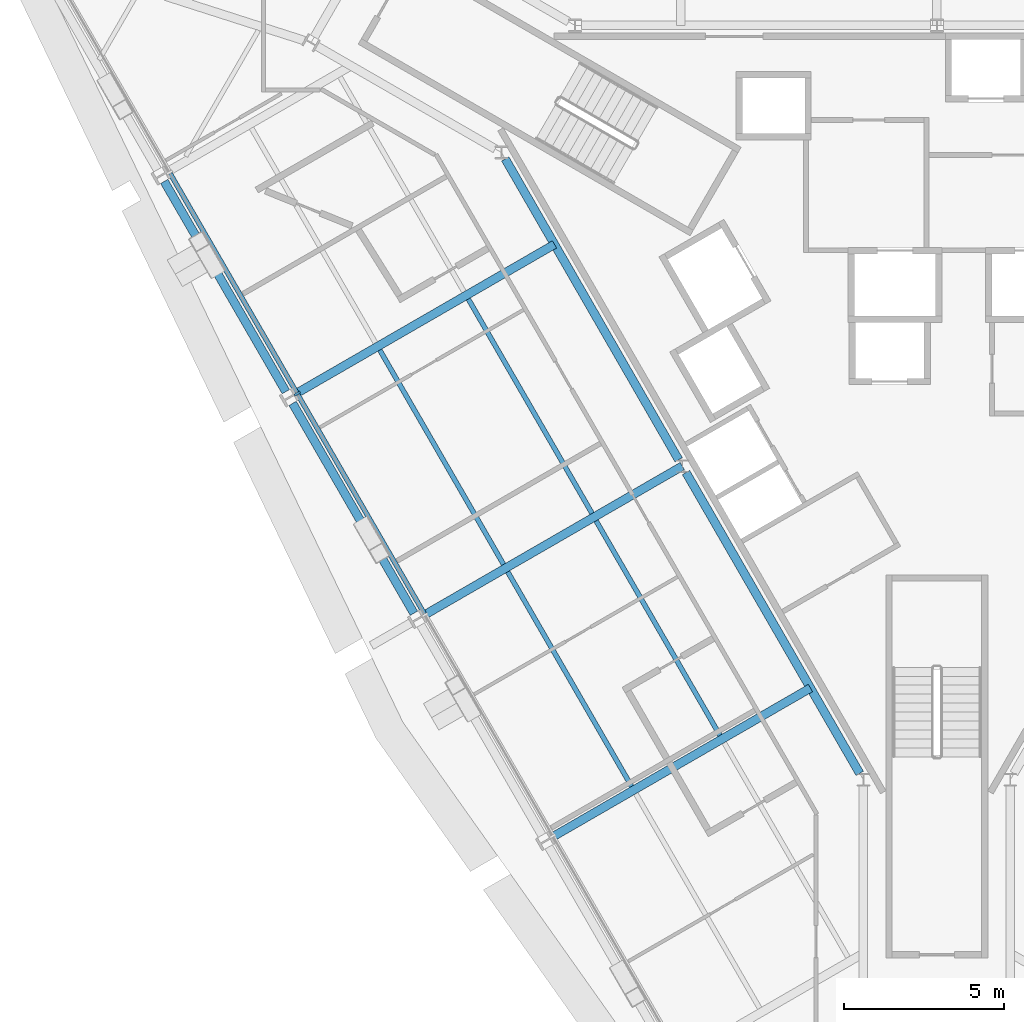
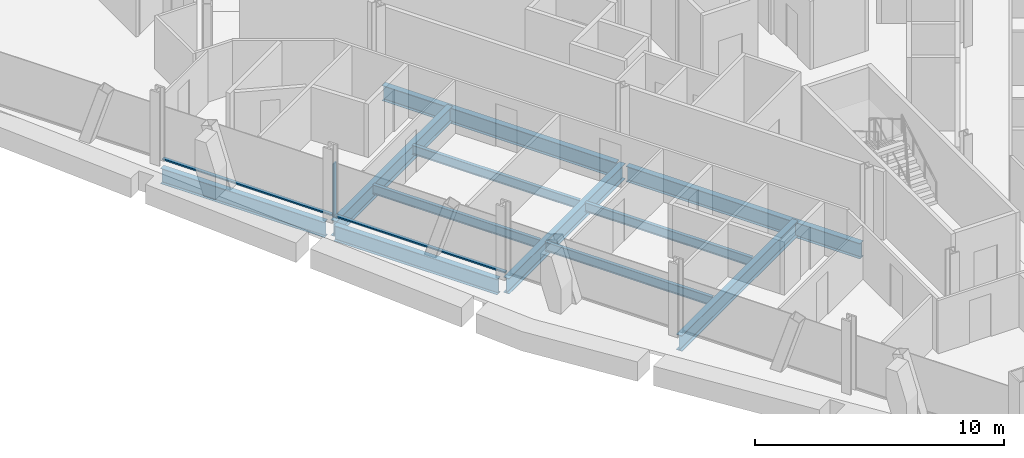
# One storey, part 4 of 16: 11 beams, 3 members, 1 element without a shape of its own.
"""IFC4 building model written with IfcOpenShell, lengths in metres."""

from ifc_helpers import new_model, si_unit, direction, frame, origin, origin_2d, place, context, subcontext, project, spatial, rectangle, i_section, extrude, material, material_profile, profile_set, type_object, element, aggregate, save


model = new_model("IFC4")

# Units and contexts
model_context = context("Model", 3, precision=1e-05, world=origin(), true_north=direction((0.0, 1.0)))
body_context = subcontext(model_context, "Body", "Model", "MODEL_VIEW")
ifc_project = project(units=[si_unit("LENGTHUNIT", "METRE"), si_unit("AREAUNIT", "SQUARE_METRE"), si_unit("VOLUMEUNIT", "CUBIC_METRE"), si_unit("PLANEANGLEUNIT", "RADIAN"), si_unit("MASSUNIT", "GRAM", prefix="KILO")], contexts=[model_context])

# Site, building, storey
site_placement = place(None, origin())
site = spatial("IfcSite", under=ifc_project, at=site_placement, CompositionType="ELEMENT")
building_placement = place(site_placement, origin())
building = spatial("IfcBuilding", under=site, at=building_placement, Name="Verrane Prism Tower", CompositionType="ELEMENT")
storey_placement = place(building_placement, frame((0.0, 0.0, 107.199951171875)))
storey = spatial("IfcBuildingStorey", under=building, at=storey_placement, Name="L25", CompositionType="ELEMENT", Elevation=107.199951171875)

# Beams
ifc_material_1 = material(Name="Steel A992", Category="steel")
ifc_material_profile_1 = material_profile(ifc_material_1, i_section(OverallWidth=0.2666015625, OverallDepth=0.7568359375, WebThickness=0.013916015625, FlangeThickness=0.019287109375, FilletRadius=0.0166015625, at=origin_2d()), Name="W30x108")
ifc_profile_set_1 = profile_set([ifc_material_profile_1], Name="Steel A992")
beam_type_1 = type_object("IfcBeamType", Name="Core ring girder W30x108", PredefinedType="BEAM", material=ifc_profile_set_1)
beam_1_placement = place(storey_placement, frame((-13.51513671875, 5.0205078125, -0.62841796875), z_axis=(0.4993706109, -0.866388476937, 0.0), x_axis=(0.866388476937, 0.4993706109, 0.0)))
element("IfcBeam", 1, at=beam_1_placement, inside=storey, type_object=beam_type_1, Name="Core ring girder L25", PredefinedType="BEAM", context=body_context, shape_type="SweptSolid", body=[
    extrude(i_section(OverallWidth=0.2666015625, OverallDepth=0.7568359375, WebThickness=0.013916015625, FlangeThickness=0.019287109375, FilletRadius=0.0166015625, at=origin_2d()), origin(), (0.0, 0.0, 1.0), 10.8740234375),
])
beam_2_placement = place(storey_placement, frame((-7.85498046875, -4.79931640625, -0.62841796875), z_axis=(0.500034555306, -0.86600545235, 0.0), x_axis=(0.86600545235, 0.500034555306, 0.0)))
element("IfcBeam", 2, at=beam_2_placement, inside=storey, type_object=beam_type_1, Name="Core ring girder L25", PredefinedType="BEAM", context=body_context, shape_type="SweptSolid", body=[
    extrude(i_section(OverallWidth=0.2666015625, OverallDepth=0.7568359375, WebThickness=0.013916015625, FlangeThickness=0.019287109375, FilletRadius=0.0166015625, at=origin_2d()), origin(), (0.0, 0.0, 1.0), 10.879150390625),
])
ifc_material_2 = material(Name="Steel A992", Category="steel")
ifc_material_profile_2 = material_profile(ifc_material_2, i_section(OverallWidth=0.15234375, OverallDepth=0.449462890625, WebThickness=0.007568359375, FlangeThickness=0.0107421875, FilletRadius=0.01025390625, at=origin_2d()), Name="W18x35")
ifc_profile_set_2 = profile_set([ifc_material_profile_2], Name="Steel A992")
beam_type_2 = type_object("IfcBeamType", Name="Floor beam W18x35", PredefinedType="BEAM", material=ifc_profile_set_2)
beam_3_placement = place(storey_placement, frame((-10.7978515625, -6.077880859375, -0.384765625), z_axis=(-0.499984211786, 0.866034518922, 0.0), x_axis=(-0.866034518922, -0.499984211786, 0.0)))
element("IfcBeam", 3, at=beam_3_placement, inside=storey, type_object=beam_type_2, Name="Floor beam L25", PredefinedType="BEAM", context=body_context, shape_type="SweptSolid", body=[
    extrude(i_section(OverallWidth=0.15234375, OverallDepth=0.449462890625, WebThickness=0.007568359375, FlangeThickness=0.0107421875, FilletRadius=0.01025390625, at=origin_2d()), origin(), (0.0, 0.0, 1.0), 7.750732421875),
])
beam_4_placement = place(storey_placement, frame((-13.568603515625, -7.6767578125, -0.384765625), z_axis=(-0.499981532947, 0.86603606548, 0.0), x_axis=(-0.86603606548, -0.499981532947, 0.0)))
element("IfcBeam", 4, at=beam_4_placement, inside=storey, type_object=beam_type_2, Name="Floor beam L25", PredefinedType="BEAM", context=body_context, shape_type="SweptSolid", body=[
    extrude(i_section(OverallWidth=0.15234375, OverallDepth=0.449462890625, WebThickness=0.007568359375, FlangeThickness=0.0107421875, FilletRadius=0.01025390625, at=origin_2d()), origin(), (0.0, 0.0, 1.0), 7.749267578125),
])
for number, where, z_axis, x_axis, name in (
    (5, (-6.7919921875, -13.0302734375, -0.384765625), (-0.500028499731, 0.866008948832, 0.0), (-0.866008948832, -0.500028499731, 0.0), "Floor beam L25"),
    (6, (-9.559326171875, -14.627197265625, -0.384765625), (-0.500028499731, 0.866008948832, 0.0), (-0.866008948832, -0.500028499731, 0.0), "Floor beam L25"),
):
    element("IfcBeam", number, at=place(storey_placement, frame(where, z_axis=z_axis, x_axis=x_axis)), inside=storey, type_object=beam_type_2, Name=name, PredefinedType="BEAM", context=body_context, shape_type="SweptSolid", body=[
        extrude(i_section(OverallWidth=0.15234375, OverallDepth=0.449462890625, WebThickness=0.007568359375, FlangeThickness=0.0107421875, FilletRadius=0.01025390625, at=origin_2d()), origin(), (0.0, 0.0, 1.0), 7.7568359375),
    ])

# Curtain wall, member
ifc_material_3 = material(Name="Aluminium framed insulated glazing", Category="aluminium")
curtain_wall_type = type_object("IfcCurtainWallType", Name="Curtain wall CW-A 8400 module", PredefinedType="NOTDEFINED", material=ifc_material_3)
curtain_wall_placement = place(storey_placement, origin())
curtain_wall = element("IfcCurtainWall", 7, at=curtain_wall_placement, inside=storey, type_object=curtain_wall_type, Name="Glazed curtain wall south-west face L25", PredefinedType="NOTDEFINED")
ifc_material_4 = material(Name="Aluminium alloy 6063-T6", Category="aluminium")
ifc_material_profile_3 = material_profile(ifc_material_4, rectangle(XDim=0.199951171875, YDim=0.070068359375, at=origin_2d()), Name="Mullion 70x200 aluminium")
ifc_profile_set_3 = profile_set([ifc_material_profile_3], Name="Aluminium alloy 6063-T6")
member_type_1 = type_object("IfcMemberType", Name="Mullion 70x200 aluminium", PredefinedType="MULLION", material=ifc_profile_set_3)
member_1_placement = place(storey_placement, frame((-20.030029296875, -2.3291015625, 0.0), z_axis=(0.0, 0.0, 1.0), x_axis=(0.866025402318, 0.500000002539, 0.0)))
member_1 = element("IfcMember", 8, at=member_1_placement, type_object=member_type_1, Name="CW24.4 mullion 3", PredefinedType="MULLION", context=body_context, shape_type="SweptSolid", body=[
    extrude(rectangle(XDim=0.199951171875, YDim=0.070068359375, at=origin_2d()), origin(), (0.0, 0.0, 1.0), 2.613037109375),
])

# Beams
ifc_material_5 = material(Name="Steel A992", Category="steel")
ifc_material_profile_4 = material_profile(ifc_material_5, i_section(OverallWidth=0.2666015625, OverallDepth=0.76708984375, WebThickness=0.014892578125, FlangeThickness=0.023681640625, FilletRadius=0.0166015625, at=origin_2d()), Name="W30x124")
ifc_profile_set_4 = profile_set([ifc_material_profile_4], Name="Steel A992")
beam_type_3 = type_object("IfcBeamType", Name="Radial girder W30x124", PredefinedType="BEAM", material=ifc_profile_set_4)
beam_5_placement = place(storey_placement, frame((-20.07421875, -2.331298828125, -0.603515625), z_axis=(0.866026073768, 0.499998839552, 0.0), x_axis=(-0.499998839552, 0.866026073768, 0.0)))
element("IfcBeam", 9, at=beam_5_placement, inside=storey, type_object=beam_type_3, Name="Radial girder L25", PredefinedType="BEAM", context=body_context, shape_type="SweptSolid", body=[
    extrude(i_section(OverallWidth=0.2666015625, OverallDepth=0.76708984375, WebThickness=0.014892578125, FlangeThickness=0.023681640625, FilletRadius=0.0166015625, at=origin_2d()), origin(), (0.0, 0.0, 1.0), 9.35400390625),
])
beam_6_placement = place(storey_placement, frame((-16.064208984375, -9.271240234375, -0.603515625), z_axis=(0.866015917575, 0.500016430238, 0.0), x_axis=(-0.500016430238, 0.866015917575, 0.0)))
element("IfcBeam", 10, at=beam_6_placement, inside=storey, type_object=beam_type_3, Name="Radial girder L25", PredefinedType="BEAM", context=body_context, shape_type="SweptSolid", body=[
    extrude(i_section(OverallWidth=0.2666015625, OverallDepth=0.76708984375, WebThickness=0.014892578125, FlangeThickness=0.023681640625, FilletRadius=0.0166015625, at=origin_2d()), origin(), (0.0, 0.0, 1.0), 9.345458984375),
])
beam_7_placement = place(storey_placement, frame((-12.05419921875, -16.22119140625, -0.603515625), z_axis=(0.866018138487, 0.500012583653, 0.0), x_axis=(-0.500012583653, 0.866018138487, 0.0)))
element("IfcBeam", 11, at=beam_7_placement, inside=storey, type_object=beam_type_3, Name="Radial girder L25", PredefinedType="BEAM", context=body_context, shape_type="SweptSolid", body=[
    extrude(i_section(OverallWidth=0.2666015625, OverallDepth=0.76708984375, WebThickness=0.014892578125, FlangeThickness=0.023681640625, FilletRadius=0.0166015625, at=origin_2d()), origin(), (0.0, 0.0, 1.0), 9.347900390625),
])
ifc_material_6 = material(Name="Steel A992", Category="steel")
ifc_material_profile_5 = material_profile(ifc_material_6, i_section(OverallWidth=0.2666015625, OverallDepth=0.7568359375, WebThickness=0.013916015625, FlangeThickness=0.019287109375, FilletRadius=0.0166015625, at=origin_2d()), Name="W30x108")
ifc_profile_set_5 = profile_set([ifc_material_profile_5], Name="Steel A992")
beam_type_4 = type_object("IfcBeamType", Name="Spandrel beam W30x108", PredefinedType="SPANDREL", material=ifc_profile_set_5)
beam_8_placement = place(storey_placement, frame((-24.19384765625, 4.31640625, -0.538330078125), z_axis=(0.500695808248, -0.865623305834, 0.0), x_axis=(0.865623305834, 0.500695808248, 0.0)))
element("IfcBeam", 12, at=beam_8_placement, inside=storey, type_object=beam_type_4, Name="Spandrel beam L25", PredefinedType="SPANDREL", context=body_context, shape_type="SweptSolid", body=[
    extrude(i_section(OverallWidth=0.2666015625, OverallDepth=0.7568359375, WebThickness=0.013916015625, FlangeThickness=0.019287109375, FilletRadius=0.0166015625, at=origin_2d()), origin(), (0.0, 0.0, 1.0), 7.604736328125),
])
beam_9_placement = place(storey_placement, frame((-20.173828125, -2.633544921875, -0.538330078125), z_axis=(0.500279205376, -0.865864144464, 0.0), x_axis=(0.865864144464, 0.500279205376, 0.0)))
element("IfcBeam", 13, at=beam_9_placement, inside=storey, type_object=beam_type_4, Name="Spandrel beam L25", PredefinedType="SPANDREL", context=body_context, shape_type="SweptSolid", body=[
    extrude(i_section(OverallWidth=0.2666015625, OverallDepth=0.7568359375, WebThickness=0.013916015625, FlangeThickness=0.019287109375, FilletRadius=0.0166015625, at=origin_2d()), origin(), (0.0, 0.0, 1.0), 7.591064453125),
])

# Member
ifc_material_7 = material(Name="Aluminium alloy 6063-T6", Category="aluminium")
ifc_material_profile_6 = material_profile(ifc_material_7, rectangle(XDim=0.14990234375, YDim=0.070068359375, at=origin_2d()), Name="Transom 70x150 aluminium")
ifc_profile_set_6 = profile_set([ifc_material_profile_6], Name="Aluminium alloy 6063-T6")
member_type_2 = type_object("IfcMemberType", Name="Transom 70x150 aluminium", PredefinedType="USERDEFINED", material=ifc_profile_set_6)
member_2_placement = place(storey_placement, frame((-24.011474609375, 4.567138671875, 0.03515625), z_axis=(0.50001745439, -0.866015326253, 0.0), x_axis=(0.866015326253, 0.50001745439, 0.0)))
member_2 = element("IfcMember", 14, at=member_2_placement, type_object=member_type_2, Name="CW24.4 transom 2", ObjectType="TRANSOM", PredefinedType="USERDEFINED", context=body_context, shape_type="SweptSolid", body=[
    extrude(rectangle(XDim=0.14990234375, YDim=0.070068359375, at=origin_2d()), origin(), (0.0, 0.0, 1.0), 7.927978515625),
])

member_3_placement = place(storey_placement, frame((-20.012451171875, -2.359375, 0.03515625), z_axis=(0.50001745439, -0.866015326253, 0.0), x_axis=(0.866015326253, 0.50001745439, 0.0)))
member_3 = element("IfcMember", 15, at=member_3_placement, type_object=member_type_2, Name="CW24.4 transom 3", ObjectType="TRANSOM", PredefinedType="USERDEFINED", context=body_context, shape_type="SweptSolid", body=[
    extrude(rectangle(XDim=0.14990234375, YDim=0.070068359375, at=origin_2d()), origin(), (0.0, 0.0, 1.0), 7.927978515625),
])

aggregate(curtain_wall, [member_1, member_2, member_3])

save(model, "model.ifc")
